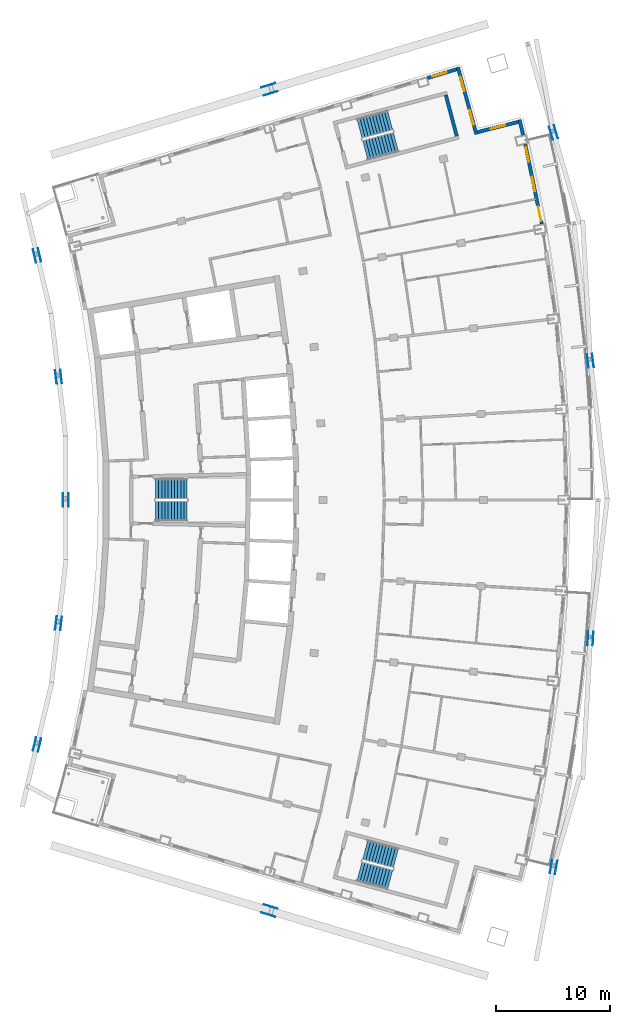
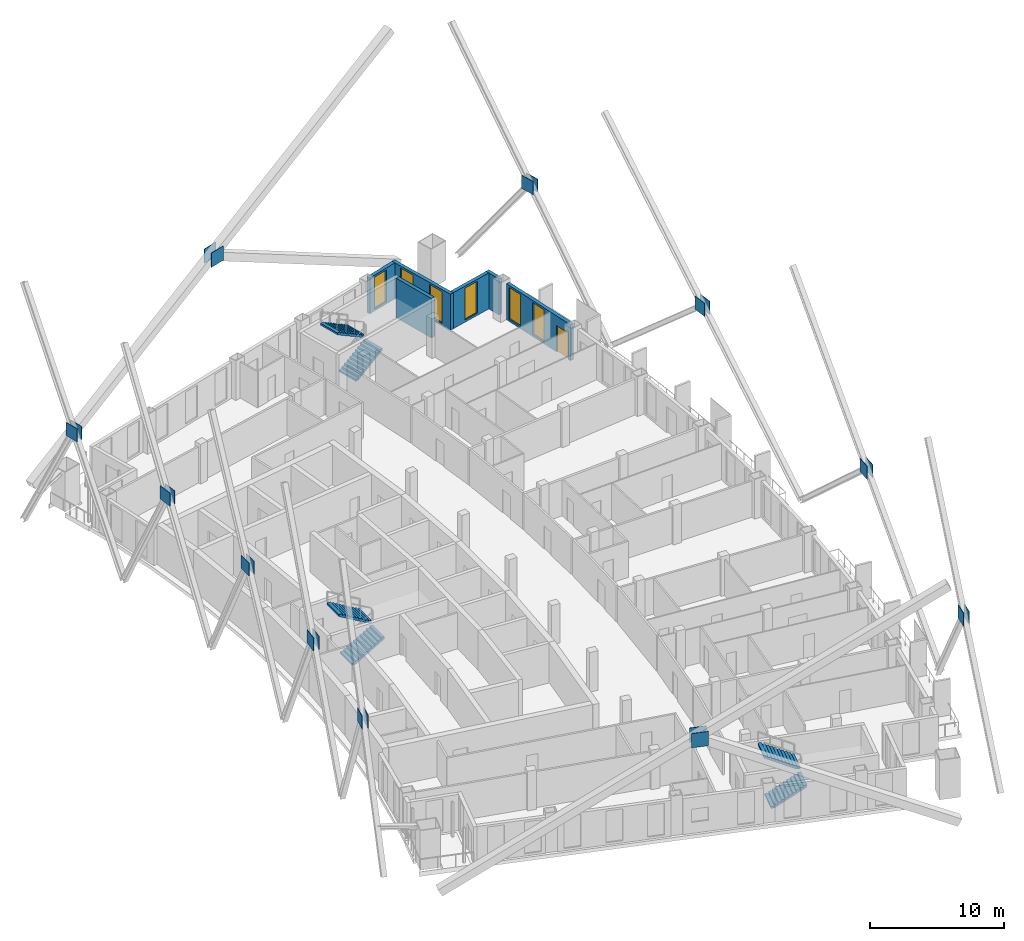
# One storey, part 14 of 16: 22 discrete accessories, 6 stair flights, 6 walls, 6 windows, 1 door, 7 openings, 3 elements without a shape of their own.
"""IFC4 building model written with IfcOpenShell, lengths in metres."""

from ifc_helpers import new_model, si_unit, direction, frame, frame_2d, origin, origin_2d, place, context, subcontext, project, spatial, polyline, rectangle, outline, extrude, material, layer, layer_set, material_profile, profile_set, type_object, element, fill, aggregate, save


model = new_model("IFC4")

# Units and contexts
model_context = context("Model", 3, precision=1e-05, world=origin(), true_north=direction((0.0, 1.0)))
body_context = subcontext(model_context, "Body", "Model", "MODEL_VIEW")
ifc_project = project(units=[si_unit("LENGTHUNIT", "METRE"), si_unit("AREAUNIT", "SQUARE_METRE"), si_unit("VOLUMEUNIT", "CUBIC_METRE"), si_unit("PLANEANGLEUNIT", "RADIAN"), si_unit("MASSUNIT", "GRAM", prefix="KILO")], contexts=[model_context])

# Site, building, storey
site_placement = place(None, origin())
site = spatial("IfcSite", under=ifc_project, at=site_placement, CompositionType="ELEMENT")
building_placement = place(site_placement, origin())
building = spatial("IfcBuilding", under=site, at=building_placement, Name="Alderwake Tower", CompositionType="ELEMENT")
storey_placement = place(building_placement, frame((0.0, 0.0, 245.60009765625)))
storey = spatial("IfcBuildingStorey", under=building, at=storey_placement, Name="L60", CompositionType="ELEMENT", Elevation=245.60009765625)

# Wall
ifc_material_1 = material(Name="Concrete C70/85", Category="concrete")
ifc_layer_1 = layer(ifc_material_1, 0.300048828125)
ifc_layer_set_1 = layer_set([ifc_layer_1], Name="Core wall stair enclosure 300 C70-85")
wall_type_1 = type_object("IfcWallType", Name="Core wall stair enclosure 300 C70-85", PredefinedType="SHEAR", material=ifc_layer_set_1)
wall_1_placement = place(storey_placement, frame((47.581298828125, 93.041748046875, 0.0), z_axis=(0.0, 0.0, 1.0), x_axis=(-0.257366821694, 0.966313778796, 0.0)))
element("IfcWall", 1, at=wall_1_placement, inside=storey, type_object=wall_type_1, Name="Core wall CW.081", PredefinedType="SHEAR", context=body_context, shape_type="SweptSolid", body=[
    extrude(rectangle(XDim=3.749755859375, YDim=0.300048828125, at=frame_2d((1.875, 0.0))), origin(), (0.0, 0.0, 1.0), 3.599853515625),
])

# Wall, openings, door, windows
ifc_material_2 = material(Name="Precast concrete C50/60 spandrel panel", Category="concrete")
ifc_layer_2 = layer(ifc_material_2, 0.300048828125)
ifc_layer_set_2 = layer_set([ifc_layer_2], Name="External wall EW1 Precast concrete C50/60 spandrel")
wall_type_2 = type_object("IfcWallType", Name="External wall EW1 Precast concrete C50/60 spandrel", PredefinedType="SOLIDWALL", material=ifc_layer_set_2)
wall_2_placement = place(storey_placement, frame((55.068115234375, 85.309326171875, 0.0), z_axis=(0.0, 0.0, 1.0), x_axis=(-0.202732982931, 0.979234056614, 0.0)))
wall_2 = element("IfcWall", 2, at=wall_2_placement, inside=storey, type_object=wall_type_2, Name="External wall 19", PredefinedType="SOLIDWALL", context=body_context, shape_type="SweptSolid", body=[
    extrude(rectangle(XDim=7.16162109375, YDim=0.300048828125, at=frame_2d((3.580810546875, 0.0))), origin(), (0.0, 0.0, 1.0), 3.27978515625),
])
opening_1_placement = place(wall_2_placement, frame((0.267333984375, 0.0, 0.0)))
opening_1 = element("IfcOpeningElement", 3, at=opening_1_placement, cuts=wall_2, Name="Opening D08", PredefinedType="OPENING", context=body_context, shape_type="SweptSolid", body=[
    extrude(rectangle(XDim=1.300048828125, YDim=2.39990234375, at=frame_2d((0.64990234375, 1.199951171875))), frame((0.0, 0.159912109375, 0.0), z_axis=(0.0, -1.0, 0.0), x_axis=(1.0, 0.0, 0.0)), (0.0, 0.0, 1.0), 0.320068359375),
])
opening_2_placement = place(wall_2_placement, frame((2.930908203125, 0.0, 0.199951171875)))
opening_2 = element("IfcOpeningElement", 4, at=opening_2_placement, cuts=wall_2, Name="Opening W1", PredefinedType="OPENING", context=body_context, shape_type="SweptSolid", body=[
    extrude(rectangle(XDim=1.300048828125, YDim=2.89990234375, at=frame_2d((0.64990234375, 1.449951171875))), frame((0.0, 0.159912109375, 0.0), z_axis=(0.0, -1.0, 0.0), x_axis=(1.0, 0.0, 0.0)), (0.0, 0.0, 1.0), 0.320068359375),
])
opening_3_placement = place(wall_2_placement, frame((5.594482421875, 0.0, 0.199951171875)))
opening_3 = element("IfcOpeningElement", 5, at=opening_3_placement, cuts=wall_2, Name="Opening W1", PredefinedType="OPENING", context=body_context, shape_type="SweptSolid", body=[
    extrude(rectangle(XDim=1.300048828125, YDim=2.89990234375, at=frame_2d((0.64990234375, 1.449951171875))), frame((0.0, 0.159912109375, 0.0), z_axis=(0.0, -1.0, 0.0), x_axis=(1.0, 0.0, 0.0)), (0.0, 0.0, 1.0), 0.320068359375),
])
ifc_material_3 = material(Name="Bronze tinted glass in aluminium frame", Category="aluminium")
door_type = type_object("IfcDoorType", Name="Balcony door BD sliding", OperationType="SLIDING_TO_LEFT", PredefinedType="DOOR", material=ifc_material_3)
door_placement = place(opening_1_placement, origin())
door = element("IfcDoor", 6, at=door_placement, inside=storey, type_object=door_type, Name="Door D08", OperationType="SLIDING_TO_LEFT", OverallHeight=2.39990234375, OverallWidth=1.300048828125, PredefinedType="DOOR", context=body_context, shape_type="SweptSolid", body=[
    extrude(rectangle(XDim=1.300048828125, YDim=2.39990234375, at=frame_2d((0.64990234375, 1.199951171875))), frame((0.0, 0.02490234375, 0.0), z_axis=(0.0, -1.0, 0.0), x_axis=(1.0, 0.0, 0.0)), (0.0, 0.0, 1.0), 0.050048828125),
])
fill(opening_1, door)
ifc_material_4 = material(Name="Bronze tinted glass in aluminium frame", Category="aluminium")
window_type = type_object("IfcWindowType", Name="Window W1 tall fixed and vent", PartitioningType="DOUBLE_PANEL_VERTICAL", PredefinedType="WINDOW", material=ifc_material_4)
window_1_placement = place(opening_2_placement, origin())
window_1 = element("IfcWindow", 7, at=window_1_placement, inside=storey, type_object=window_type, Name="Window W1 tall fixed and vent", OverallHeight=2.89990234375, OverallWidth=1.300048828125, PartitioningType="DOUBLE_PANEL_VERTICAL", PredefinedType="WINDOW", context=body_context, shape_type="SweptSolid", body=[
    extrude(rectangle(XDim=1.300048828125, YDim=2.89990234375, at=frame_2d((0.64990234375, 1.449951171875))), frame((0.0, 0.030029296875, 0.0), z_axis=(0.0, -1.0, 0.0), x_axis=(1.0, 0.0, 0.0)), (0.0, 0.0, 1.0), 0.06005859375),
])
fill(opening_2, window_1)
window_2_placement = place(opening_3_placement, origin())
window_2 = element("IfcWindow", 8, at=window_2_placement, inside=storey, type_object=window_type, Name="Window W1 tall fixed and vent", OverallHeight=2.89990234375, OverallWidth=1.300048828125, PartitioningType="DOUBLE_PANEL_VERTICAL", PredefinedType="WINDOW", context=body_context, shape_type="SweptSolid", body=[
    extrude(rectangle(XDim=1.300048828125, YDim=2.89990234375, at=frame_2d((0.64990234375, 1.449951171875))), frame((0.0, 0.030029296875, 0.0), z_axis=(0.0, -1.0, 0.0), x_axis=(1.0, 0.0, 0.0)), (0.0, 0.0, 1.0), 0.06005859375),
])
fill(opening_3, window_2)

# Wall
wall_3_placement = place(storey_placement, frame((53.43408203125, 93.12890625, 0.0), z_axis=(0.0, 0.0, 1.0), x_axis=(-0.238336671874, 0.971182593975, 0.0)))
element("IfcWall", 9, at=wall_3_placement, inside=storey, type_object=wall_type_2, Name="External wall 20", PredefinedType="SOLIDWALL", context=body_context, shape_type="SweptSolid", body=[
    extrude(rectangle(XDim=1.396240234375, YDim=0.300048828125, at=frame_2d((0.6982421875, 0.0))), origin(), (0.0, 0.0, 1.0), 3.27978515625),
])

# Wall, opening, window
ifc_material_5 = material(Name="Bronze metal cladding on lightweight framing")
ifc_layer_3 = layer(ifc_material_5, 0.300048828125)
ifc_layer_set_3 = layer_set([ifc_layer_3], Name="External wall EW2 bronze metal cladding")
wall_type_3 = type_object("IfcWallType", Name="External wall EW2 bronze metal cladding", PredefinedType="SOLIDWALL", material=ifc_layer_set_3)
wall_4_placement = place(storey_placement, frame((52.99169921875, 94.302490234375, 0.0), z_axis=(0.0, 0.0, 1.0), x_axis=(-0.96941119971, -0.245442306614, 0.0)))
wall_4 = element("IfcWall", 10, at=wall_4_placement, inside=storey, type_object=wall_type_3, Name="External wall 21", PredefinedType="SOLIDWALL", context=body_context, shape_type="SweptSolid", body=[
    extrude(rectangle(XDim=3.6943359375, YDim=0.300048828125, at=frame_2d((1.84716796875, 0.0))), origin(), (0.0, 0.0, 1.0), 3.27978515625),
])
opening_4_placement = place(wall_4_placement, frame((1.197021484375, 0.0, 0.199951171875)))
opening_4 = element("IfcOpeningElement", 11, at=opening_4_placement, cuts=wall_4, Name="Opening W1", PredefinedType="OPENING", context=body_context, shape_type="SweptSolid", body=[
    extrude(rectangle(XDim=1.300048828125, YDim=2.89990234375, at=frame_2d((0.64990234375, 1.449951171875))), frame((0.0, 0.159912109375, 0.0), z_axis=(0.0, -1.0, 0.0), x_axis=(1.0, 0.0, 0.0)), (0.0, 0.0, 1.0), 0.320068359375),
])
window_3_placement = place(opening_4_placement, origin())
window_3 = element("IfcWindow", 12, at=window_3_placement, inside=storey, type_object=window_type, Name="Window W1 tall fixed and vent", OverallHeight=2.89990234375, OverallWidth=1.300048828125, PartitioningType="DOUBLE_PANEL_VERTICAL", PredefinedType="WINDOW", context=body_context, shape_type="SweptSolid", body=[
    extrude(rectangle(XDim=1.300048828125, YDim=2.89990234375, at=frame_2d((0.64990234375, 1.449951171875))), frame((0.0, 0.030029296875, 0.0), z_axis=(0.0, -1.0, 0.0), x_axis=(1.0, 0.0, 0.0)), (0.0, 0.0, 1.0), 0.06005859375),
])
fill(opening_4, window_3)

# Wall, openings, windows
wall_5_placement = place(storey_placement, frame((49.3046875, 93.21435546875, 0.0), z_axis=(0.0, 0.0, 1.0), x_axis=(-0.265085195802, 0.964224993955, 0.0)))
wall_5 = element("IfcWall", 13, at=wall_5_placement, inside=storey, type_object=wall_type_3, Name="External wall 22", PredefinedType="SOLIDWALL", context=body_context, shape_type="SweptSolid", body=[
    extrude(rectangle(XDim=6.129150390625, YDim=0.300048828125, at=frame_2d((3.064453125, 0.0))), origin(), (0.0, 0.0, 1.0), 3.27978515625),
])
opening_5_placement = place(wall_5_placement, frame((0.88232421875, 0.0, 0.199951171875)))
opening_5 = element("IfcOpeningElement", 14, at=opening_5_placement, cuts=wall_5, Name="Opening W1", PredefinedType="OPENING", context=body_context, shape_type="SweptSolid", body=[
    extrude(rectangle(XDim=1.300048828125, YDim=2.89990234375, at=frame_2d((0.64990234375, 1.449951171875))), frame((0.0, 0.159912109375, 0.0), z_axis=(0.0, -1.0, 0.0), x_axis=(1.0, 0.0, 0.0)), (0.0, 0.0, 1.0), 0.320068359375),
])
opening_6_placement = place(wall_5_placement, frame((3.947021484375, 0.0, 0.199951171875)))
opening_6 = element("IfcOpeningElement", 15, at=opening_6_placement, cuts=wall_5, Name="Opening W1", PredefinedType="OPENING", context=body_context, shape_type="SweptSolid", body=[
    extrude(rectangle(XDim=1.300048828125, YDim=2.89990234375, at=frame_2d((0.64990234375, 1.449951171875))), frame((0.0, 0.159912109375, 0.0), z_axis=(0.0, -1.0, 0.0), x_axis=(1.0, 0.0, 0.0)), (0.0, 0.0, 1.0), 0.320068359375),
])
window_4_placement = place(opening_5_placement, origin())
window_4 = element("IfcWindow", 16, at=window_4_placement, inside=storey, type_object=window_type, Name="Window W1 tall fixed and vent", OverallHeight=2.89990234375, OverallWidth=1.300048828125, PartitioningType="DOUBLE_PANEL_VERTICAL", PredefinedType="WINDOW", context=body_context, shape_type="SweptSolid", body=[
    extrude(rectangle(XDim=1.300048828125, YDim=2.89990234375, at=frame_2d((0.64990234375, 1.449951171875))), frame((0.0, 0.030029296875, 0.0), z_axis=(0.0, -1.0, 0.0), x_axis=(1.0, 0.0, 0.0)), (0.0, 0.0, 1.0), 0.06005859375),
])
fill(opening_5, window_4)
window_5_placement = place(opening_6_placement, origin())
window_5 = element("IfcWindow", 17, at=window_5_placement, inside=storey, type_object=window_type, Name="Window W1 tall fixed and vent", OverallHeight=2.89990234375, OverallWidth=1.300048828125, PartitioningType="DOUBLE_PANEL_VERTICAL", PredefinedType="WINDOW", context=body_context, shape_type="SweptSolid", body=[
    extrude(rectangle(XDim=1.300048828125, YDim=2.89990234375, at=frame_2d((0.64990234375, 1.449951171875))), frame((0.0, 0.030029296875, 0.0), z_axis=(0.0, -1.0, 0.0), x_axis=(1.0, 0.0, 0.0)), (0.0, 0.0, 1.0), 0.06005859375),
])
fill(opening_6, window_5)

# Wall, opening, window
wall_6_placement = place(storey_placement, frame((47.576171875, 98.9365234375, 0.0), z_axis=(0.0, 0.0, 1.0), x_axis=(-0.957781694838, -0.287496478298, 0.0)))
wall_6 = element("IfcWall", 18, at=wall_6_placement, inside=storey, type_object=wall_type_3, Name="External wall 23", PredefinedType="SOLIDWALL", context=body_context, shape_type="SweptSolid", body=[
    extrude(rectangle(XDim=2.713134765625, YDim=0.300048828125, at=frame_2d((1.3564453125, 0.0))), origin(), (0.0, 0.0, 1.0), 3.27978515625),
])
opening_7_placement = place(wall_6_placement, frame((0.932373046875, 0.0, 0.199951171875)))
opening_7 = element("IfcOpeningElement", 19, at=opening_7_placement, cuts=wall_6, Name="Opening W1", PredefinedType="OPENING", context=body_context, shape_type="SweptSolid", body=[
    extrude(rectangle(XDim=1.300048828125, YDim=2.89990234375, at=frame_2d((0.64990234375, 1.449951171875))), frame((0.0, 0.159912109375, 0.0), z_axis=(0.0, -1.0, 0.0), x_axis=(1.0, 0.0, 0.0)), (0.0, 0.0, 1.0), 0.320068359375),
])
window_6_placement = place(opening_7_placement, origin())
window_6 = element("IfcWindow", 20, at=window_6_placement, inside=storey, type_object=window_type, Name="Window W1 tall fixed and vent", OverallHeight=2.89990234375, OverallWidth=1.300048828125, PartitioningType="DOUBLE_PANEL_VERTICAL", PredefinedType="WINDOW", context=body_context, shape_type="SweptSolid", body=[
    extrude(rectangle(XDim=1.300048828125, YDim=2.89990234375, at=frame_2d((0.64990234375, 1.449951171875))), frame((0.0, 0.030029296875, 0.0), z_axis=(0.0, -1.0, 0.0), x_axis=(1.0, 0.0, 0.0)), (0.0, 0.0, 1.0), 0.06005859375),
])
fill(opening_7, window_6)

# Stair, stair flights
ifc_material_6 = material(Name="Concrete C40/50", Category="concrete")
stair_type = type_object("IfcStairType", Name="Core exit stair", PredefinedType="HALF_TURN_STAIR", material=ifc_material_6)
stair_1_placement = place(storey_placement, origin())
stair_1 = element("IfcStair", 21, at=stair_1_placement, inside=storey, type_object=stair_type, Name="L60 Exit Stair B", PredefinedType="HALF_TURN_STAIR")
ifc_material_7 = material(Name="Concrete C40/50", Category="concrete")
ifc_layer_4 = layer(ifc_material_7, 0.14990234375)
ifc_layer_set_4 = layer_set([ifc_layer_4], Name="Core stair flight")
stair_flight_type = type_object("IfcStairFlightType", Name="Core stair flight", PredefinedType="STRAIGHT", material=ifc_layer_set_4)
stair_flight_1_placement = place(storey_placement, frame((21.0400390625, 60.02490234375, 0.0), z_axis=(0.0, 0.0, 1.0), x_axis=(1.0, 0.0, 0.0)))
stair_flight_1 = element("IfcStairFlight", 22, at=stair_flight_1_placement, type_object=stair_flight_type, Name="ST-B flight 1", NumberOfRisers=11, NumberOfTreads=10, PredefinedType="STRAIGHT", RiserHeight=0.163636364, TreadLength=0.28, context=body_context, shape_type="SweptSolid", body=[
    extrude(outline(polyline([(0.0, 0.0), (0.0, 0.16357421875), (0.280029296875, 0.16357421875), (0.280029296875, 0.327392578125), (0.56005859375, 0.327392578125), (0.56005859375, 0.490966796875), (0.840087890625, 0.490966796875), (0.840087890625, 0.654541015625), (1.1201171875, 0.654541015625), (1.1201171875, 0.818115234375), (1.39990234375, 0.818115234375), (1.39990234375, 0.98193359375), (1.679931640625, 0.98193359375), (1.679931640625, 1.1455078125), (1.9599609375, 1.1455078125), (1.9599609375, 1.30908203125), (2.239990234375, 1.30908203125), (2.239990234375, 1.47265625), (2.52001953125, 1.47265625), (2.52001953125, 1.636474609375), (2.800048828125, 1.636474609375), (2.800048828125, 1.800048828125), (2.800048828125, 1.462646484375), (0.297119140625, 0.0), (0.0, 0.0)])), frame((0.0, 0.89990234375, 0.0), z_axis=(0.0, -1.0, 0.0), x_axis=(1.0, 0.0, 0.0)), (0.0, 0.0, 1.0), 1.800048828125),
])
stair_flight_2_placement = place(storey_placement, frame((23.840087890625, 61.97509765625, 1.7998046875), z_axis=(0.0, 0.0, 1.0), x_axis=(-1.0, 0.0, 0.0)))
stair_flight_2 = element("IfcStairFlight", 23, at=stair_flight_2_placement, type_object=stair_flight_type, Name="ST-B flight 2", NumberOfRisers=11, NumberOfTreads=10, PredefinedType="STRAIGHT", RiserHeight=0.163636364, TreadLength=0.28, context=body_context, shape_type="SweptSolid", body=[
    extrude(outline(polyline([(0.0, 0.0), (0.0, 0.16357421875), (0.280029296875, 0.16357421875), (0.280029296875, 0.327392578125), (0.56005859375, 0.327392578125), (0.56005859375, 0.490966796875), (0.840087890625, 0.490966796875), (0.840087890625, 0.654541015625), (1.1201171875, 0.654541015625), (1.1201171875, 0.818115234375), (1.39990234375, 0.818115234375), (1.39990234375, 0.98193359375), (1.679931640625, 0.98193359375), (1.679931640625, 1.1455078125), (1.9599609375, 1.1455078125), (1.9599609375, 1.30908203125), (2.239990234375, 1.30908203125), (2.239990234375, 1.47265625), (2.52001953125, 1.47265625), (2.52001953125, 1.636474609375), (2.800048828125, 1.636474609375), (2.800048828125, 1.800048828125), (2.800048828125, 1.462646484375), (0.297119140625, 0.0), (0.0, 0.0)])), frame((0.0, 0.89990234375, 0.0), z_axis=(0.0, -1.0, 0.0), x_axis=(1.0, 0.0, 0.0)), (0.0, 0.0, 1.0), 1.800048828125),
])
aggregate(stair_1, [stair_flight_1, stair_flight_2])

stair_2_placement = place(storey_placement, origin())
stair_2 = element("IfcStair", 24, at=stair_2_placement, inside=storey, type_object=stair_type, Name="L60 Exit Stair A", PredefinedType="HALF_TURN_STAIR")
stair_flight_3_placement = place(storey_placement, frame((39.512939453125, 91.823974609375, 0.0), z_axis=(0.0, 0.0, 1.0), x_axis=(0.966309627437, 0.257382407951, 0.0)))
stair_flight_3 = element("IfcStairFlight", 25, at=stair_flight_3_placement, type_object=stair_flight_type, Name="ST-A flight 1", NumberOfRisers=11, NumberOfTreads=10, PredefinedType="STRAIGHT", RiserHeight=0.163636364, TreadLength=0.28, context=body_context, shape_type="SweptSolid", body=[
    extrude(outline(polyline([(0.0, 0.0), (0.0, 0.16357421875), (0.280029296875, 0.16357421875), (0.280029296875, 0.327392578125), (0.56005859375, 0.327392578125), (0.56005859375, 0.490966796875), (0.840087890625, 0.490966796875), (0.840087890625, 0.654541015625), (1.1201171875, 0.654541015625), (1.1201171875, 0.818115234375), (1.39990234375, 0.818115234375), (1.39990234375, 0.98193359375), (1.679931640625, 0.98193359375), (1.679931640625, 1.1455078125), (1.9599609375, 1.1455078125), (1.9599609375, 1.30908203125), (2.239990234375, 1.30908203125), (2.239990234375, 1.47265625), (2.52001953125, 1.47265625), (2.52001953125, 1.636474609375), (2.800048828125, 1.636474609375), (2.800048828125, 1.800048828125), (2.800048828125, 1.462646484375), (0.297119140625, 0.0), (0.0, 0.0)])), frame((0.0, 0.89990234375, 0.0), z_axis=(0.0, -1.0, 0.0), x_axis=(1.0, 0.0, 0.0)), (0.0, 0.0, 1.0), 1.800048828125),
])
stair_flight_4_placement = place(storey_placement, frame((41.716796875, 94.428955078125, 1.7998046875), z_axis=(0.0, 0.0, 1.0), x_axis=(-0.966309627437, -0.257382407951, 0.0)))
stair_flight_4 = element("IfcStairFlight", 26, at=stair_flight_4_placement, type_object=stair_flight_type, Name="ST-A flight 2", NumberOfRisers=11, NumberOfTreads=10, PredefinedType="STRAIGHT", RiserHeight=0.163636364, TreadLength=0.28, context=body_context, shape_type="SweptSolid", body=[
    extrude(outline(polyline([(0.0, 0.0), (0.0, 0.16357421875), (0.280029296875, 0.16357421875), (0.280029296875, 0.327392578125), (0.56005859375, 0.327392578125), (0.56005859375, 0.490966796875), (0.840087890625, 0.490966796875), (0.840087890625, 0.654541015625), (1.1201171875, 0.654541015625), (1.1201171875, 0.818115234375), (1.39990234375, 0.818115234375), (1.39990234375, 0.98193359375), (1.679931640625, 0.98193359375), (1.679931640625, 1.1455078125), (1.9599609375, 1.1455078125), (1.9599609375, 1.30908203125), (2.239990234375, 1.30908203125), (2.239990234375, 1.47265625), (2.52001953125, 1.47265625), (2.52001953125, 1.636474609375), (2.800048828125, 1.636474609375), (2.800048828125, 1.800048828125), (2.800048828125, 1.462646484375), (0.297119140625, 0.0), (0.0, 0.0)])), frame((0.0, 0.89990234375, 0.0), z_axis=(0.0, -1.0, 0.0), x_axis=(1.0, 0.0, 0.0)), (0.0, 0.0, 1.0), 1.800048828125),
])
aggregate(stair_2, [stair_flight_3, stair_flight_4])

stair_3_placement = place(storey_placement, origin())
stair_3 = element("IfcStair", 27, at=stair_3_placement, inside=storey, type_object=stair_type, Name="L60 Exit Stair C", PredefinedType="HALF_TURN_STAIR")
stair_flight_5_placement = place(storey_placement, frame((39.010986328125, 28.291748046875, 0.0), z_axis=(0.0, 0.0, 1.0), x_axis=(0.966309627437, -0.257382407951, 0.0)))
stair_flight_5 = element("IfcStairFlight", 28, at=stair_flight_5_placement, type_object=stair_flight_type, Name="ST-C flight 1", NumberOfRisers=11, NumberOfTreads=10, PredefinedType="STRAIGHT", RiserHeight=0.163636364, TreadLength=0.28, context=body_context, shape_type="SweptSolid", body=[
    extrude(outline(polyline([(0.0, 0.0), (0.0, 0.16357421875), (0.280029296875, 0.16357421875), (0.280029296875, 0.327392578125), (0.56005859375, 0.327392578125), (0.56005859375, 0.490966796875), (0.840087890625, 0.490966796875), (0.840087890625, 0.654541015625), (1.1201171875, 0.654541015625), (1.1201171875, 0.818115234375), (1.39990234375, 0.818115234375), (1.39990234375, 0.98193359375), (1.679931640625, 0.98193359375), (1.679931640625, 1.1455078125), (1.9599609375, 1.1455078125), (1.9599609375, 1.30908203125), (2.239990234375, 1.30908203125), (2.239990234375, 1.47265625), (2.52001953125, 1.47265625), (2.52001953125, 1.636474609375), (2.800048828125, 1.636474609375), (2.800048828125, 1.800048828125), (2.800048828125, 1.462646484375), (0.297119140625, 0.0), (0.0, 0.0)])), frame((0.0, 0.89990234375, 0.0), z_axis=(0.0, -1.0, 0.0), x_axis=(1.0, 0.0, 0.0)), (0.0, 0.0, 1.0), 1.800048828125),
])
stair_flight_6_placement = place(storey_placement, frame((42.218505859375, 29.455322265625, 1.7998046875), z_axis=(0.0, 0.0, 1.0), x_axis=(-0.966309627437, 0.257382407951, 0.0)))
stair_flight_6 = element("IfcStairFlight", 29, at=stair_flight_6_placement, type_object=stair_flight_type, Name="ST-C flight 2", NumberOfRisers=11, NumberOfTreads=10, PredefinedType="STRAIGHT", RiserHeight=0.163636364, TreadLength=0.28, context=body_context, shape_type="SweptSolid", body=[
    extrude(outline(polyline([(0.0, 0.0), (0.0, 0.16357421875), (0.280029296875, 0.16357421875), (0.280029296875, 0.327392578125), (0.56005859375, 0.327392578125), (0.56005859375, 0.490966796875), (0.840087890625, 0.490966796875), (0.840087890625, 0.654541015625), (1.1201171875, 0.654541015625), (1.1201171875, 0.818115234375), (1.39990234375, 0.818115234375), (1.39990234375, 0.98193359375), (1.679931640625, 0.98193359375), (1.679931640625, 1.1455078125), (1.9599609375, 1.1455078125), (1.9599609375, 1.30908203125), (2.239990234375, 1.30908203125), (2.239990234375, 1.47265625), (2.52001953125, 1.47265625), (2.52001953125, 1.636474609375), (2.800048828125, 1.636474609375), (2.800048828125, 1.800048828125), (2.800048828125, 1.462646484375), (0.297119140625, 0.0), (0.0, 0.0)])), frame((0.0, 0.89990234375, 0.0), z_axis=(0.0, -1.0, 0.0), x_axis=(1.0, 0.0, 0.0)), (0.0, 0.0, 1.0), 1.800048828125),
])
aggregate(stair_3, [stair_flight_5, stair_flight_6])

# Discrete accessories
ifc_material_8 = material(Name="Steel ASTM A572 Grade 50", Category="steel")
ifc_material_profile_1 = material_profile(ifc_material_8, rectangle(XDim=1.199951171875, YDim=1.199951171875, at=origin_2d()), Name="gusset 1200X1200")
ifc_profile_set_1 = profile_set([ifc_material_profile_1], Name="Steel ASTM A572 Grade 50")
discrete_accessory_type_1 = type_object("IfcDiscreteAccessoryType", Name="Gusset plate 1200X1200X40", PredefinedType="USERDEFINED", material=ifc_profile_set_1)
for number, where, z_axis, x_axis, name in (
    (30, (56.313720703125, 28.637939453125, 10.7998046875), (0.983078940965, -0.18318241136, 0.0), (0.18318241136, 0.983078940965, 0.0), "Gusset plate BRF5.1.2B outer"),
    (31, (55.9052734375, 28.714111328125, 10.7998046875), (-0.984162001364, 0.177271416395, 0.0), (-0.177271416395, -0.984162001364, 0.0), "Gusset plate BRF5.1.2B inner"),
    (32, (59.563232421875, 48.798828125, 10.7998046875), (0.998497592519, -0.054795599589, 0.0), (0.054795599589, 0.998497592519, 0.0), "Gusset plate BRF5.1.4B outer"),
    (33, (59.1484375, 48.82177734375, 10.7998046875), (-0.998497592519, 0.054795599589, 0.0), (-0.054795599589, -0.998497592519, 0.0), "Gusset plate BRF5.1.4B inner"),
    (34, (59.555908203125, 73.284423828125, 10.7998046875), (0.992556374233, 0.121786058188, 0.0), (-0.121786058188, 0.992556374233, 0.0), "Gusset plate BRF5.1.7B outer"),
    (35, (59.1435546875, 73.234619140625, 10.7998046875), (-0.993274823804, -0.115780500934, 0.0), (0.115780500934, -0.993274823804, 0.0), "Gusset plate BRF5.1.7B inner"),
    (36, (56.298095703125, 93.427490234375, 10.7998046875), (0.961753311401, 0.273917082361, 0.0), (-0.273917082361, 0.961753311401, 0.0), "Gusset plate BRF5.1.10B outer"),
    (37, (55.899169921875, 93.3115234375, 10.7998046875), (-0.961753311401, -0.273917082361, 0.0), (0.273917082361, -0.961753311401, 0.0), "Gusset plate BRF5.1.10B inner"),
    (38, (10.8193359375, 39.415771484375, 10.7998046875), (0.97293655072, -0.231072430796, 0.0), (0.231072430796, 0.97293655072, 0.0), "Gusset plate BRR5.1.2B outer"),
    (39, (10.415283203125, 39.51171875, 10.7998046875), (-0.97293655072, 0.231072430796, 0.0), (-0.231072430796, -0.97293655072, 0.0), "Gusset plate BRR5.1.2B inner"),
):
    element("IfcDiscreteAccessory", number, at=place(storey_placement, frame(where, z_axis=z_axis, x_axis=x_axis)), inside=storey, type_object=discrete_accessory_type_1, Name=name, ObjectType="GUSSET PLATE", PredefinedType="USERDEFINED", context=body_context, shape_type="SweptSolid", body=[
        extrude(rectangle(XDim=1.199951171875, YDim=1.199951171875, at=origin_2d()), origin(), (0.0, 0.0, 1.0), 0.0400390625),
    ])
for number, where, z_axis, x_axis, name in (
    (40, (12.714599609375, 50.134033203125, 10.7998046875), (0.993192389202, -0.116485527129, 0.0), (0.116485527129, 0.993192389202, 0.0), "Gusset plate BRR5.1.4B outer"),
    (41, (12.3017578125, 50.182373046875, 10.7998046875), (-0.993192389202, 0.116485527129, 0.0), (-0.116485527129, -0.993192389202, 0.0), "Gusset plate BRR5.1.4B inner"),
    (42, (13.34912109375, 61.0, 10.7998046875), (1.0, 0.0, 0.0), (0.0, 1.0, 0.0), "Gusset plate BRR5.1.6B outer"),
):
    element("IfcDiscreteAccessory", number, at=place(storey_placement, frame(where, z_axis=z_axis, x_axis=x_axis)), inside=storey, type_object=discrete_accessory_type_1, Name=name, ObjectType="GUSSET PLATE", PredefinedType="USERDEFINED", context=body_context, shape_type="SweptSolid", body=[
        extrude(rectangle(XDim=1.199951171875, YDim=1.199951171875, at=origin_2d()), origin(), (0.0, 0.0, 1.0), 0.039794921875),
    ])
discrete_accessory_placement = place(storey_placement, frame((12.93359375, 61.0, 10.7998046875), z_axis=(-1.0, 0.0, 0.0), x_axis=(0.0, -1.0, 0.0)))
element("IfcDiscreteAccessory", 43, at=discrete_accessory_placement, inside=storey, type_object=discrete_accessory_type_1, Name="Gusset plate BRR5.1.6B inner", ObjectType="GUSSET PLATE", PredefinedType="USERDEFINED", context=body_context, shape_type="SweptSolid", body=[
    extrude(rectangle(XDim=1.199951171875, YDim=1.199951171875, at=origin_2d()), origin(), (0.0, 0.0, 1.0), 0.0400390625),
])
for number, where, z_axis, x_axis, name in (
    (44, (12.714599609375, 71.865966796875, 10.7998046875), (0.993192389202, 0.116485527129, 0.0), (-0.116485527129, 0.993192389202, 0.0), "Gusset plate BRR5.1.8B outer"),
    (45, (12.3017578125, 71.817626953125, 10.7998046875), (-0.993192389202, -0.116485527129, 0.0), (0.116485527129, -0.993192389202, 0.0), "Gusset plate BRR5.1.8B inner"),
):
    element("IfcDiscreteAccessory", number, at=place(storey_placement, frame(where, z_axis=z_axis, x_axis=x_axis)), inside=storey, type_object=discrete_accessory_type_1, Name=name, ObjectType="GUSSET PLATE", PredefinedType="USERDEFINED", context=body_context, shape_type="SweptSolid", body=[
        extrude(rectangle(XDim=1.199951171875, YDim=1.199951171875, at=origin_2d()), origin(), (0.0, 0.0, 1.0), 0.039794921875),
    ])
for number, where, z_axis, x_axis, name in (
    (46, (10.8193359375, 82.584228515625, 10.7998046875), (0.97293655072, 0.231072430796, 0.0), (-0.231072430796, 0.97293655072, 0.0), "Gusset plate BRR5.1.10B outer"),
    (47, (10.415283203125, 82.48828125, 10.7998046875), (-0.97293655072, -0.231072430796, 0.0), (0.231072430796, -0.97293655072, 0.0), "Gusset plate BRR5.1.10B inner"),
):
    element("IfcDiscreteAccessory", number, at=place(storey_placement, frame(where, z_axis=z_axis, x_axis=x_axis)), inside=storey, type_object=discrete_accessory_type_1, Name=name, ObjectType="GUSSET PLATE", PredefinedType="USERDEFINED", context=body_context, shape_type="SweptSolid", body=[
        extrude(rectangle(XDim=1.199951171875, YDim=1.199951171875, at=origin_2d()), origin(), (0.0, 0.0, 1.0), 0.0400390625),
    ])
ifc_material_9 = material(Name="Steel ASTM A572 Grade 50", Category="steel")
ifc_material_profile_2 = material_profile(ifc_material_9, rectangle(XDim=1.300048828125, YDim=1.300048828125, at=origin_2d()), Name="gusset 1300X1300")
ifc_profile_set_2 = profile_set([ifc_material_profile_2], Name="Steel ASTM A572 Grade 50")
discrete_accessory_type_2 = type_object("IfcDiscreteAccessoryType", Name="Gusset plate 1300X1300X40", PredefinedType="USERDEFINED", material=ifc_profile_set_2)
for number, where, z_axis, x_axis, name in (
    (48, (30.989990234375, 24.4931640625, 10.7998046875), (-0.286788031626, -0.95799406309, 0.0), (0.95799406309, -0.286788031626, 0.0), "Gusset plate BRS5.1.0B outer"),
    (49, (31.19140625, 25.16357421875, 10.7998046875), (0.286788031626, 0.95799406309, 0.0), (-0.95799406309, 0.286788031626, 0.0), "Gusset plate BRS5.1.0B inner"),
    (50, (30.989990234375, 97.5068359375, 10.7998046875), (-0.286788031626, 0.95799406309, 0.0), (-0.95799406309, -0.286788031626, 0.0), "Gusset plate BRN5.1.0B outer"),
    (51, (31.19140625, 96.83642578125, 10.7998046875), (0.286788031626, -0.95799406309, 0.0), (0.95799406309, 0.286788031626, 0.0), "Gusset plate BRN5.1.0B inner"),
):
    element("IfcDiscreteAccessory", number, at=place(storey_placement, frame(where, z_axis=z_axis, x_axis=x_axis)), inside=storey, type_object=discrete_accessory_type_2, Name=name, ObjectType="GUSSET PLATE", PredefinedType="USERDEFINED", context=body_context, shape_type="SweptSolid", body=[
        extrude(rectangle(XDim=1.300048828125, YDim=1.300048828125, at=origin_2d()), origin(), (0.0, 0.0, 1.0), 0.0400390625),
    ])

save(model, "model.ifc")
